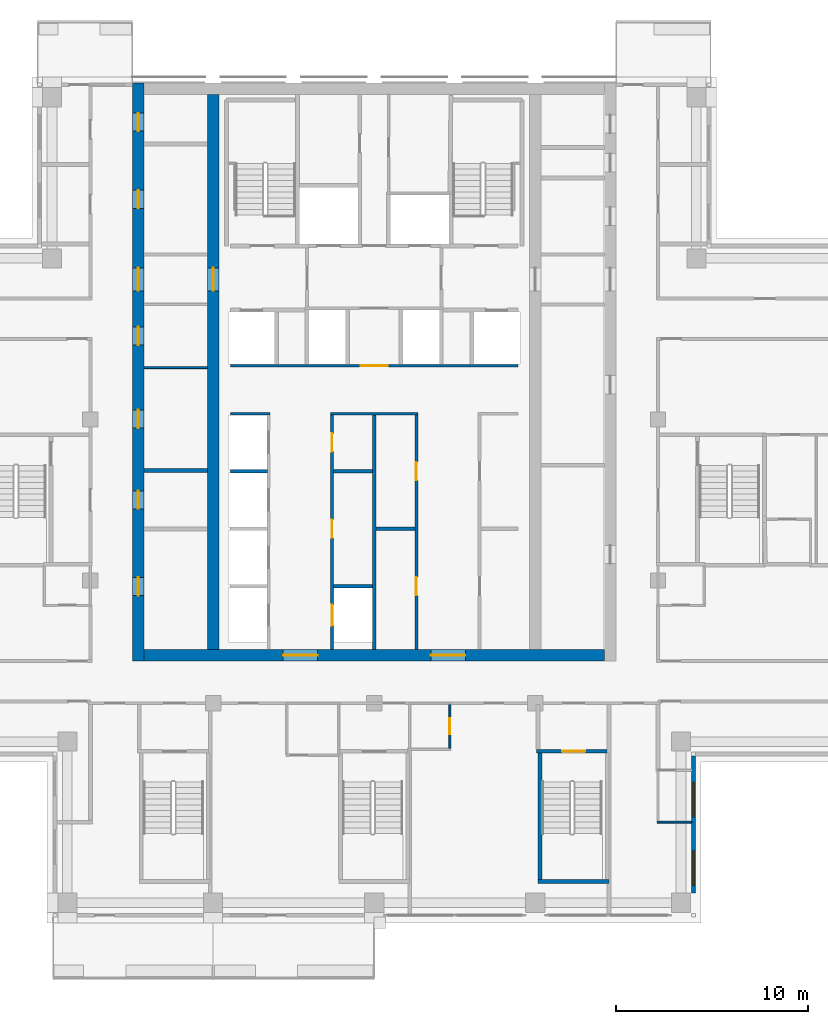
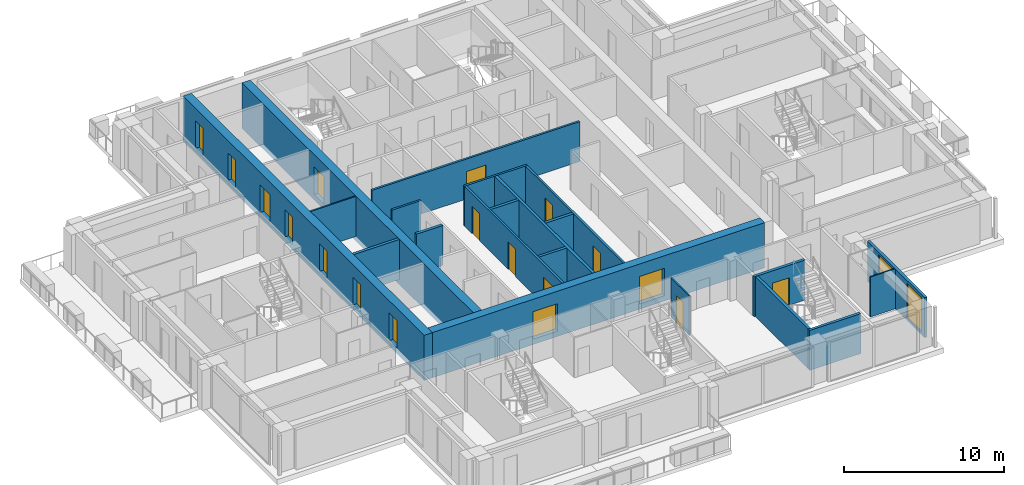
# One storey, part 8 of 17: 21 walls, 18 doors, 2 windows, 20 openings.
"""IFC4 building model written with IfcOpenShell, lengths in metres."""

from ifc_helpers import new_model, si_unit, direction, frame, frame_2d, origin, place, context, subcontext, project, spatial, rectangle, extrude, material, layer, layer_set, type_object, element, fill, save


model = new_model("IFC4")

# Units and contexts
model_context = context("Model", 3, precision=1e-05, world=origin(), true_north=direction((0.0, 1.0)))
body_context = subcontext(model_context, "Body", "Model", "MODEL_VIEW")
ifc_project = project(units=[si_unit("LENGTHUNIT", "METRE"), si_unit("AREAUNIT", "SQUARE_METRE"), si_unit("VOLUMEUNIT", "CUBIC_METRE"), si_unit("PLANEANGLEUNIT", "RADIAN"), si_unit("MASSUNIT", "GRAM", prefix="KILO")], contexts=[model_context])

# Site, building, storey
site_placement = place(None, origin())
site = spatial("IfcSite", under=ifc_project, at=site_placement, CompositionType="ELEMENT")
building_placement = place(site_placement, origin())
building = spatial("IfcBuilding", under=site, at=building_placement, Name="Vermilion Ogive Tower", CompositionType="ELEMENT")
storey_placement = place(building_placement, frame((0.0, 0.0, 196.25)))
storey = spatial("IfcBuildingStorey", under=building, at=storey_placement, Name="L51", CompositionType="ELEMENT", Elevation=196.25)

# Wall, openings, doors
ifc_material_1 = material(Name="Concrete B60", Category="concrete")
ifc_layer_1 = layer(ifc_material_1, 0.60009765625)
ifc_layer_set_1 = layer_set([ifc_layer_1], Name="Core wall 600 B60")
wall_type_1 = type_object("IfcWallType", Name="Core wall 600 B60", PredefinedType="SHEAR", material=ifc_layer_set_1)
wall_1_placement = place(storey_placement, frame((-12.300048828125, -8.39990234375, -0.39990234375), z_axis=(0.0, 0.0, 1.0), x_axis=(0.0, 1.0, 0.0)))
wall_1 = element("IfcWall", 1, at=wall_1_placement, inside=storey, type_object=wall_type_1, Name="L51-CORE-W", PredefinedType="SHEAR", context=body_context, shape_type="SweptSolid", body=[
    extrude(rectangle(XDim=30.14990234375, YDim=0.60009765625, at=frame_2d((15.074951171875, 0.0))), origin(), (0.0, 0.0, 1.0), 3.449951171875),
])
opening_1_placement = place(wall_1_placement, frame((3.415771484375, 0.0, 0.39990234375)))
opening_1 = element("IfcOpeningElement", 2, at=opening_1_placement, cuts=wall_1, Name="Opening DAD078", PredefinedType="OPENING", context=body_context, shape_type="SweptSolid", body=[
    extrude(rectangle(XDim=0.949951171875, YDim=2.10009765625, at=frame_2d((0.47509765625, 1.050048828125))), frame((0.0, 0.31005859375, 0.0), z_axis=(0.0, -1.0, 0.0), x_axis=(1.0, 0.0, 0.0)), (0.0, 0.0, 1.0), 0.6201171875),
])
opening_2_placement = place(wall_1_placement, frame((7.93212890625, 0.0, 0.39990234375)))
opening_2 = element("IfcOpeningElement", 3, at=opening_2_placement, cuts=wall_1, Name="Opening DAD079", PredefinedType="OPENING", context=body_context, shape_type="SweptSolid", body=[
    extrude(rectangle(XDim=0.949951171875, YDim=2.10009765625, at=frame_2d((0.47509765625, 1.050048828125))), frame((0.0, 0.31005859375, 0.0), z_axis=(0.0, -1.0, 0.0), x_axis=(1.0, 0.0, 0.0)), (0.0, 0.0, 1.0), 0.6201171875),
])
opening_3_placement = place(wall_1_placement, frame((12.1435546875, 0.0, 0.39990234375)))
opening_3 = element("IfcOpeningElement", 4, at=opening_3_placement, cuts=wall_1, Name="Opening DAD080", PredefinedType="OPENING", context=body_context, shape_type="SweptSolid", body=[
    extrude(rectangle(XDim=0.949951171875, YDim=2.10009765625, at=frame_2d((0.47509765625, 1.050048828125))), frame((0.0, 0.31005859375, 0.0), z_axis=(0.0, -1.0, 0.0), x_axis=(1.0, 0.0, 0.0)), (0.0, 0.0, 1.0), 0.6201171875),
])
opening_4_placement = place(wall_1_placement, frame((16.47705078125, 0.0, 0.39990234375)))
opening_4 = element("IfcOpeningElement", 5, at=opening_4_placement, cuts=wall_1, Name="Opening DAD081", PredefinedType="OPENING", context=body_context, shape_type="SweptSolid", body=[
    extrude(rectangle(XDim=0.949951171875, YDim=2.10009765625, at=frame_2d((0.47509765625, 1.050048828125))), frame((0.0, 0.31005859375, 0.0), z_axis=(0.0, -1.0, 0.0), x_axis=(1.0, 0.0, 0.0)), (0.0, 0.0, 1.0), 0.6201171875),
])
opening_5_placement = place(wall_1_placement, frame((23.60498046875, 0.0, 0.39990234375)))
opening_5 = element("IfcOpeningElement", 6, at=opening_5_placement, cuts=wall_1, Name="Opening DAD082", PredefinedType="OPENING", context=body_context, shape_type="SweptSolid", body=[
    extrude(rectangle(XDim=0.949951171875, YDim=2.10009765625, at=frame_2d((0.47509765625, 1.050048828125))), frame((0.0, 0.31005859375, 0.0), z_axis=(0.0, -1.0, 0.0), x_axis=(1.0, 0.0, 0.0)), (0.0, 0.0, 1.0), 0.6201171875),
])
opening_6_placement = place(wall_1_placement, frame((27.630126953125, 0.0, 0.39990234375)))
opening_6 = element("IfcOpeningElement", 7, at=opening_6_placement, cuts=wall_1, Name="Opening DAD083", PredefinedType="OPENING", context=body_context, shape_type="SweptSolid", body=[
    extrude(rectangle(XDim=0.949951171875, YDim=2.10009765625, at=frame_2d((0.47509765625, 1.050048828125))), frame((0.0, 0.31005859375, 0.0), z_axis=(0.0, -1.0, 0.0), x_axis=(1.0, 0.0, 0.0)), (0.0, 0.0, 1.0), 0.6201171875),
])
opening_7_placement = place(wall_1_placement, frame((19.300048828125, 0.0, 0.39990234375)))
opening_7 = element("IfcOpeningElement", 8, at=opening_7_placement, cuts=wall_1, Name="Opening DAM020", PredefinedType="OPENING", context=body_context, shape_type="SweptSolid", body=[
    extrude(rectangle(XDim=1.199951171875, YDim=2.10009765625, at=frame_2d((0.60009765625, 1.050048828125))), frame((0.0, 0.31005859375, 0.0), z_axis=(0.0, -1.0, 0.0), x_axis=(1.0, 0.0, 0.0)), (0.0, 0.0, 1.0), 0.6201171875),
])
ifc_material_2 = material(Name="Timber door leaf", Category="wood")
door_type_1 = type_object("IfcDoorType", Name="Link door 1200 x 2100 FD60S", OperationType="SINGLE_SWING_LEFT", PredefinedType="DOOR", material=ifc_material_2)
door_1_placement = place(opening_7_placement, origin())
door_1 = element("IfcDoor", 9, at=door_1_placement, inside=storey, type_object=door_type_1, Name="L51-CKW-XL", OperationType="SINGLE_SWING_LEFT", OverallHeight=2.10009765625, OverallWidth=1.199951171875, PredefinedType="DOOR", context=body_context, shape_type="SweptSolid", body=[
    extrude(rectangle(XDim=1.199951171875, YDim=2.10009765625, at=frame_2d((0.60009765625, 1.050048828125))), frame((0.0, 0.02490234375, 0.0), z_axis=(0.0, -1.0, 0.0), x_axis=(1.0, 0.0, 0.0)), (0.0, 0.0, 1.0), 0.050048828125),
])
fill(opening_7, door_1)
ifc_material_3 = material(Name="Timber door leaf", Category="wood")
door_type_2 = type_object("IfcDoorType", Name="Service door 950 x 2100 FD60", OperationType="SINGLE_SWING_LEFT", PredefinedType="DOOR", material=ifc_material_3)
door_2_placement = place(opening_1_placement, origin())
door_2 = element("IfcDoor", 10, at=door_2_placement, inside=storey, type_object=door_type_2, Name="L51-CKW-XR0", OperationType="SINGLE_SWING_LEFT", OverallHeight=2.10009765625, OverallWidth=0.949951171875, PredefinedType="DOOR", context=body_context, shape_type="SweptSolid", body=[
    extrude(rectangle(XDim=0.949951171875, YDim=2.10009765625, at=frame_2d((0.47509765625, 1.050048828125))), frame((0.0, 0.02490234375, 0.0), z_axis=(0.0, -1.0, 0.0), x_axis=(1.0, 0.0, 0.0)), (0.0, 0.0, 1.0), 0.050048828125),
])
fill(opening_1, door_2)
door_3_placement = place(opening_2_placement, origin())
door_3 = element("IfcDoor", 11, at=door_3_placement, inside=storey, type_object=door_type_2, Name="L51-CKW-XR1", OperationType="SINGLE_SWING_LEFT", OverallHeight=2.10009765625, OverallWidth=0.949951171875, PredefinedType="DOOR", context=body_context, shape_type="SweptSolid", body=[
    extrude(rectangle(XDim=0.949951171875, YDim=2.10009765625, at=frame_2d((0.47509765625, 1.050048828125))), frame((0.0, 0.02490234375, 0.0), z_axis=(0.0, -1.0, 0.0), x_axis=(1.0, 0.0, 0.0)), (0.0, 0.0, 1.0), 0.050048828125),
])
fill(opening_2, door_3)
door_4_placement = place(opening_3_placement, origin())
door_4 = element("IfcDoor", 12, at=door_4_placement, inside=storey, type_object=door_type_2, Name="L51-CKW-XR2", OperationType="SINGLE_SWING_LEFT", OverallHeight=2.10009765625, OverallWidth=0.949951171875, PredefinedType="DOOR", context=body_context, shape_type="SweptSolid", body=[
    extrude(rectangle(XDim=0.949951171875, YDim=2.10009765625, at=frame_2d((0.47509765625, 1.050048828125))), frame((0.0, 0.02490234375, 0.0), z_axis=(0.0, -1.0, 0.0), x_axis=(1.0, 0.0, 0.0)), (0.0, 0.0, 1.0), 0.050048828125),
])
fill(opening_3, door_4)
door_5_placement = place(opening_4_placement, origin())
door_5 = element("IfcDoor", 13, at=door_5_placement, inside=storey, type_object=door_type_2, Name="L51-CKW-XR3", OperationType="SINGLE_SWING_LEFT", OverallHeight=2.10009765625, OverallWidth=0.949951171875, PredefinedType="DOOR", context=body_context, shape_type="SweptSolid", body=[
    extrude(rectangle(XDim=0.949951171875, YDim=2.10009765625, at=frame_2d((0.47509765625, 1.050048828125))), frame((0.0, 0.02490234375, 0.0), z_axis=(0.0, -1.0, 0.0), x_axis=(1.0, 0.0, 0.0)), (0.0, 0.0, 1.0), 0.050048828125),
])
fill(opening_4, door_5)
door_6_placement = place(opening_5_placement, origin())
door_6 = element("IfcDoor", 14, at=door_6_placement, inside=storey, type_object=door_type_2, Name="L51-CKW-XR4", OperationType="SINGLE_SWING_LEFT", OverallHeight=2.10009765625, OverallWidth=0.949951171875, PredefinedType="DOOR", context=body_context, shape_type="SweptSolid", body=[
    extrude(rectangle(XDim=0.949951171875, YDim=2.10009765625, at=frame_2d((0.47509765625, 1.050048828125))), frame((0.0, 0.02490234375, 0.0), z_axis=(0.0, -1.0, 0.0), x_axis=(1.0, 0.0, 0.0)), (0.0, 0.0, 1.0), 0.050048828125),
])
fill(opening_5, door_6)
door_7_placement = place(opening_6_placement, origin())
door_7 = element("IfcDoor", 15, at=door_7_placement, inside=storey, type_object=door_type_2, Name="L51-CKW-XR5", OperationType="SINGLE_SWING_LEFT", OverallHeight=2.10009765625, OverallWidth=0.949951171875, PredefinedType="DOOR", context=body_context, shape_type="SweptSolid", body=[
    extrude(rectangle(XDim=0.949951171875, YDim=2.10009765625, at=frame_2d((0.47509765625, 1.050048828125))), frame((0.0, 0.02490234375, 0.0), z_axis=(0.0, -1.0, 0.0), x_axis=(1.0, 0.0, 0.0)), (0.0, 0.0, 1.0), 0.050048828125),
])
fill(opening_6, door_7)

wall_2_placement = place(storey_placement, frame((-12.0, -8.10009765625, -0.39990234375), z_axis=(0.0, 0.0, 1.0), x_axis=(1.0, 0.0, 0.0)))
wall_2 = element("IfcWall", 16, at=wall_2_placement, inside=storey, type_object=wall_type_1, Name="L51-CORE-S", PredefinedType="SHEAR", context=body_context, shape_type="SweptSolid", body=[
    extrude(rectangle(XDim=24.0, YDim=0.60009765625, at=frame_2d((12.0, 0.0))), origin(), (0.0, 0.0, 1.0), 3.449951171875),
])
opening_8_placement = place(wall_2_placement, frame((7.25, 0.0, 0.39990234375)))
opening_8 = element("IfcOpeningElement", 17, at=opening_8_placement, cuts=wall_2, Name="Opening DAH039", PredefinedType="OPENING", context=body_context, shape_type="SweptSolid", body=[
    extrude(rectangle(XDim=1.800048828125, YDim=2.10009765625, at=frame_2d((0.89990234375, 1.050048828125))), frame((0.0, 0.31005859375, 0.0), z_axis=(0.0, -1.0, 0.0), x_axis=(1.0, 0.0, 0.0)), (0.0, 0.0, 1.0), 0.6201171875),
])
opening_9_placement = place(wall_2_placement, frame((14.949951171875, 0.0, 0.39990234375)))
opening_9 = element("IfcOpeningElement", 18, at=opening_9_placement, cuts=wall_2, Name="Opening DAH040", PredefinedType="OPENING", context=body_context, shape_type="SweptSolid", body=[
    extrude(rectangle(XDim=1.800048828125, YDim=2.10009765625, at=frame_2d((0.89990234375, 1.050048828125))), frame((0.0, 0.31005859375, 0.0), z_axis=(0.0, -1.0, 0.0), x_axis=(1.0, 0.0, 0.0)), (0.0, 0.0, 1.0), 0.6201171875),
])
ifc_material_4 = material(Name="Timber door leaf", Category="wood")
door_type_3 = type_object("IfcDoorType", Name="Core entry door 1800 x 2100 FD60S", OperationType="DOUBLE_DOOR_SINGLE_SWING", PredefinedType="DOOR", material=ifc_material_4)
door_8_placement = place(opening_8_placement, origin())
door_8 = element("IfcDoor", 19, at=door_8_placement, inside=storey, type_object=door_type_3, Name="L51-CK-XD1", OperationType="SINGLE_SWING_LEFT", OverallHeight=2.10009765625, OverallWidth=1.800048828125, PredefinedType="DOOR", context=body_context, shape_type="SweptSolid", body=[
    extrude(rectangle(XDim=1.800048828125, YDim=2.10009765625, at=frame_2d((0.89990234375, 1.050048828125))), frame((0.0, 0.02490234375, 0.0), z_axis=(0.0, -1.0, 0.0), x_axis=(1.0, 0.0, 0.0)), (0.0, 0.0, 1.0), 0.050048828125),
])
fill(opening_8, door_8)
door_9_placement = place(opening_9_placement, origin())
door_9 = element("IfcDoor", 20, at=door_9_placement, inside=storey, type_object=door_type_3, Name="L51-CK-XD2", OperationType="SINGLE_SWING_LEFT", OverallHeight=2.10009765625, OverallWidth=1.800048828125, PredefinedType="DOOR", context=body_context, shape_type="SweptSolid", body=[
    extrude(rectangle(XDim=1.800048828125, YDim=2.10009765625, at=frame_2d((0.89990234375, 1.050048828125))), frame((0.0, 0.02490234375, 0.0), z_axis=(0.0, -1.0, 0.0), x_axis=(1.0, 0.0, 0.0)), (0.0, 0.0, 1.0), 0.050048828125),
])
fill(opening_9, door_9)

# Wall, opening, door
wall_3_placement = place(storey_placement, frame((-8.39990234375, -7.800048828125, -0.39990234375), z_axis=(0.0, 0.0, 1.0), x_axis=(0.0, 1.0, 0.0)))
wall_3 = element("IfcWall", 21, at=wall_3_placement, inside=storey, type_object=wall_type_1, Name="L51-CORE-WEB1", PredefinedType="SHEAR", context=body_context, shape_type="SweptSolid", body=[
    extrude(rectangle(XDim=28.949951171875, YDim=0.60009765625, at=frame_2d((14.47509765625, 0.0))), origin(), (0.0, 0.0, 1.0), 3.449951171875),
])
opening_10_placement = place(wall_3_placement, frame((18.699951171875, 0.0, 0.39990234375)))
opening_10 = element("IfcOpeningElement", 22, at=opening_10_placement, cuts=wall_3, Name="Opening DAP015", PredefinedType="OPENING", context=body_context, shape_type="SweptSolid", body=[
    extrude(rectangle(XDim=1.199951171875, YDim=2.10009765625, at=frame_2d((0.60009765625, 1.050048828125))), frame((0.0, 0.31005859375, 0.0), z_axis=(0.0, -1.0, 0.0), x_axis=(1.0, 0.0, 0.0)), (0.0, 0.0, 1.0), 0.6201171875),
])
door_10_placement = place(opening_10_placement, origin())
door_10 = element("IfcDoor", 23, at=door_10_placement, inside=storey, type_object=door_type_1, Name="L51-CKW-XW", OperationType="SINGLE_SWING_LEFT", OverallHeight=2.10009765625, OverallWidth=1.199951171875, PredefinedType="DOOR", context=body_context, shape_type="SweptSolid", body=[
    extrude(rectangle(XDim=1.199951171875, YDim=2.10009765625, at=frame_2d((0.60009765625, 1.050048828125))), frame((0.0, 0.02490234375, 0.0), z_axis=(0.0, -1.0, 0.0), x_axis=(1.0, 0.0, 0.0)), (0.0, 0.0, 1.0), 0.050048828125),
])
fill(opening_10, door_10)

# Wall
ifc_material_5 = material(Name="Gypsum board partition on steel studs", Category="steel")
ifc_layer_2 = layer(ifc_material_5, 0.10009765625)
ifc_layer_set_2 = layer_set([ifc_layer_2], Name="Partition 100 bath")
wall_type_2 = type_object("IfcWallType", Name="Partition 100 bath", PredefinedType="PARTITIONING", material=ifc_layer_set_2)
wall_4_placement = place(storey_placement, frame((14.751953125, -16.800048828125, 0.0), z_axis=(0.0, 0.0, 1.0), x_axis=(1.0, 0.0, 0.0)))
element("IfcWall", 24, at=wall_4_placement, inside=storey, type_object=wall_type_2, Name="L51-W-W005", PredefinedType="PARTITIONING", context=body_context, shape_type="SweptSolid", body=[
    extrude(rectangle(XDim=1.798095703125, YDim=0.10009765625, at=frame_2d((0.89892578125, 0.0))), origin(), (0.0, 0.0, 1.0), 3.050048828125),
])

# Wall, opening, door
wall_5_placement = place(storey_placement, frame((3.949951171875, -12.949951171875, 0.0), z_axis=(0.0, 0.0, 1.0), x_axis=(0.0, 1.0, 0.0)))
wall_5 = element("IfcWall", 25, at=wall_5_placement, inside=storey, type_object=wall_type_2, Name="L51-W-W068", PredefinedType="PARTITIONING", context=body_context, shape_type="SweptSolid", body=[
    extrude(rectangle(XDim=2.27490234375, YDim=0.10009765625, at=frame_2d((1.137451171875, 0.0))), origin(), (0.0, 0.0, 1.0), 3.050048828125),
])
opening_11_placement = place(wall_5_placement, frame((0.724853515625, 0.0, 0.0)))
opening_11 = element("IfcOpeningElement", 26, at=opening_11_placement, cuts=wall_5, Name="Opening D4G3014", PredefinedType="OPENING", context=body_context, shape_type="SweptSolid", body=[
    extrude(rectangle(XDim=0.85009765625, YDim=2.10009765625, at=frame_2d((0.425048828125, 1.050048828125))), frame((0.0, 0.06005859375, 0.0), z_axis=(0.0, -1.0, 0.0), x_axis=(1.0, 0.0, 0.0)), (0.0, 0.0, 1.0), 0.1201171875),
])
ifc_material_6 = material(Name="Timber door leaf", Category="wood")
door_type_4 = type_object("IfcDoorType", Name="Bath door 850 x 2100 FD30", OperationType="SINGLE_SWING_LEFT", PredefinedType="DOOR", material=ifc_material_6)
door_11_placement = place(opening_11_placement, origin())
door_11 = element("IfcDoor", 27, at=door_11_placement, inside=storey, type_object=door_type_4, Name="L51-D-D014", OperationType="SINGLE_SWING_LEFT", OverallHeight=2.10009765625, OverallWidth=0.85009765625, PredefinedType="DOOR", context=body_context, shape_type="SweptSolid", body=[
    extrude(rectangle(XDim=0.85009765625, YDim=2.10009765625, at=frame_2d((0.425048828125, 1.050048828125))), frame((0.0, 0.02490234375, 0.0), z_axis=(0.0, -1.0, 0.0), x_axis=(1.0, 0.0, 0.0)), (0.0, 0.0, 1.0), 0.050048828125),
])
fill(opening_11, door_11)

# Walls
wall_6_placement = place(storey_placement, frame((-11.9990234375, 6.904052734375, 0.0), z_axis=(0.0, 0.0, 1.0), x_axis=(1.0, 0.0, 0.0)))
element("IfcWall", 28, at=wall_6_placement, inside=storey, type_object=wall_type_2, Name="L51-CKW-W-W003", PredefinedType="PARTITIONING", context=body_context, shape_type="SweptSolid", body=[
    extrude(rectangle(XDim=3.298095703125, YDim=0.10009765625, at=frame_2d((1.64892578125, 0.0))), origin(), (0.0, 0.0, 1.0), 3.050048828125),
])
ifc_material_7 = material(Name="Gypsum board partition on steel studs", Category="steel")
ifc_layer_3 = layer(ifc_material_7, 0.14990234375)
ifc_layer_set_3 = layer_set([ifc_layer_3], Name="Partition 150 corridor")
wall_type_3 = type_object("IfcWallType", Name="Partition 150 corridor", PredefinedType="PARTITIONING", material=ifc_layer_set_3)
wall_7_placement = place(storey_placement, frame((-7.5, 4.5, 0.0), z_axis=(0.0, 0.0, 1.0), x_axis=(1.0, 0.0, 0.0)))
element("IfcWall", 29, at=wall_7_placement, inside=storey, type_object=wall_type_3, Name="L51-CK-W-W008", PredefinedType="PARTITIONING", context=body_context, shape_type="SweptSolid", body=[
    extrude(rectangle(XDim=2.074951171875, YDim=0.14990234375, at=frame_2d((1.03759765625, 0.0))), origin(), (0.0, 0.0, 1.0), 3.050048828125),
])
wall_8_placement = place(storey_placement, frame((-2.27490234375, 4.5, 0.0), z_axis=(0.0, 0.0, 1.0), x_axis=(1.0, 0.0, 0.0)))
element("IfcWall", 30, at=wall_8_placement, inside=storey, type_object=wall_type_3, Name="L51-CK-W-W009", PredefinedType="PARTITIONING", context=body_context, shape_type="SweptSolid", body=[
    extrude(rectangle(XDim=4.5498046875, YDim=0.14990234375, at=frame_2d((2.27490234375, 0.0))), origin(), (0.0, 0.0, 1.0), 3.050048828125),
])

# Wall, opening, door
wall_9_placement = place(storey_placement, frame((-7.5, 7.0, 0.0), z_axis=(0.0, 0.0, 1.0), x_axis=(1.0, 0.0, 0.0)))
wall_9 = element("IfcWall", 31, at=wall_9_placement, inside=storey, type_object=wall_type_3, Name="L51-CK-W-W011", PredefinedType="PARTITIONING", context=body_context, shape_type="SweptSolid", body=[
    extrude(rectangle(XDim=15.0, YDim=0.14990234375, at=frame_2d((7.5, 0.0))), origin(), (0.0, 0.0, 1.0), 3.050048828125),
])
opening_12_placement = place(wall_9_placement, frame((6.800048828125, 0.0, 0.0)))
opening_12 = element("IfcOpeningElement", 32, at=opening_12_placement, cuts=wall_9, Name="Opening DAA445", PredefinedType="OPENING", context=body_context, shape_type="SweptSolid", body=[
    extrude(rectangle(XDim=1.39990234375, YDim=2.10009765625, at=frame_2d((0.699951171875, 1.050048828125))), frame((0.0, 0.0849609375, 0.0), z_axis=(0.0, -1.0, 0.0), x_axis=(1.0, 0.0, 0.0)), (0.0, 0.0, 1.0), 0.169921875),
])
ifc_material_8 = material(Name="Timber door leaf", Category="wood")
door_type_5 = type_object("IfcDoorType", Name="Lobby door 1400 x 2100 FD60S", OperationType="SINGLE_SWING_LEFT", PredefinedType="DOOR", material=ifc_material_8)
door_12_placement = place(opening_12_placement, origin())
door_12 = element("IfcDoor", 33, at=door_12_placement, inside=storey, type_object=door_type_5, Name="L51-CK-D-D016", OperationType="SINGLE_SWING_RIGHT", OverallHeight=2.10009765625, OverallWidth=1.39990234375, PredefinedType="DOOR", context=body_context, shape_type="SweptSolid", body=[
    extrude(rectangle(XDim=1.39990234375, YDim=2.10009765625, at=frame_2d((0.699951171875, 1.050048828125))), frame((0.0, 0.02490234375, 0.0), z_axis=(0.0, -1.0, 0.0), x_axis=(1.0, 0.0, 0.0)), (0.0, 0.0, 1.0), 0.050048828125),
])
fill(opening_12, door_12)

# Wall, openings, doors
wall_10_placement = place(storey_placement, frame((-2.199951171875, -7.799072265625, 0.0), z_axis=(0.0, 0.0, 1.0), x_axis=(0.0, 1.0, 0.0)))
wall_10 = element("IfcWall", 34, at=wall_10_placement, inside=storey, type_object=wall_type_3, Name="L51-CK-W-W025", PredefinedType="PARTITIONING", context=body_context, shape_type="SweptSolid", body=[
    extrude(rectangle(XDim=12.22412109375, YDim=0.14990234375, at=frame_2d((6.112060546875, 0.0))), origin(), (0.0, 0.0, 1.0), 3.050048828125),
])
opening_13_placement = place(wall_10_placement, frame((1.2490234375, 0.0, 0.0)))
opening_13 = element("IfcOpeningElement", 35, at=opening_13_placement, cuts=wall_10, Name="Opening DAA462", PredefinedType="OPENING", context=body_context, shape_type="SweptSolid", body=[
    extrude(rectangle(XDim=1.10009765625, YDim=2.10009765625, at=frame_2d((0.550048828125, 1.050048828125))), frame((0.0, 0.0849609375, 0.0), z_axis=(0.0, -1.0, 0.0), x_axis=(1.0, 0.0, 0.0)), (0.0, 0.0, 1.0), 0.169921875),
])
opening_14_placement = place(wall_10_placement, frame((5.823974609375, 0.0, 0.0)))
opening_14 = element("IfcOpeningElement", 36, at=opening_14_placement, cuts=wall_10, Name="Opening DAA448", PredefinedType="OPENING", context=body_context, shape_type="SweptSolid", body=[
    extrude(rectangle(XDim=0.949951171875, YDim=2.10009765625, at=frame_2d((0.47509765625, 1.050048828125))), frame((0.0, 0.0849609375, 0.0), z_axis=(0.0, -1.0, 0.0), x_axis=(1.0, 0.0, 0.0)), (0.0, 0.0, 1.0), 0.169921875),
])
opening_15_placement = place(wall_10_placement, frame((10.323974609375, 0.0, 0.0)))
opening_15 = element("IfcOpeningElement", 37, at=opening_15_placement, cuts=wall_10, Name="Opening DAA449", PredefinedType="OPENING", context=body_context, shape_type="SweptSolid", body=[
    extrude(rectangle(XDim=0.949951171875, YDim=2.10009765625, at=frame_2d((0.47509765625, 1.050048828125))), frame((0.0, 0.0849609375, 0.0), z_axis=(0.0, -1.0, 0.0), x_axis=(1.0, 0.0, 0.0)), (0.0, 0.0, 1.0), 0.169921875),
])
ifc_material_9 = material(Name="Stainless steel", Category="steel")
door_type_6 = type_object("IfcDoorType", Name="Lift landing door 1100 x 2100", OperationType="SLIDING_TO_LEFT", PredefinedType="DOOR", material=ifc_material_9)
door_13_placement = place(opening_13_placement, origin())
door_13 = element("IfcDoor", 38, at=door_13_placement, inside=storey, type_object=door_type_6, Name="L51-CK-D-D005", OperationType="SLIDING_TO_LEFT", OverallHeight=2.10009765625, OverallWidth=1.10009765625, PredefinedType="DOOR", context=body_context, shape_type="SweptSolid", body=[
    extrude(rectangle(XDim=1.10009765625, YDim=2.10009765625, at=frame_2d((0.550048828125, 1.050048828125))), frame((0.0, 0.02490234375, 0.0), z_axis=(0.0, -1.0, 0.0), x_axis=(1.0, 0.0, 0.0)), (0.0, 0.0, 1.0), 0.050048828125),
])
fill(opening_13, door_13)
door_14_placement = place(opening_14_placement, origin())
door_14 = element("IfcDoor", 39, at=door_14_placement, inside=storey, type_object=door_type_2, Name="L51-CK-D-D006", OperationType="SINGLE_SWING_LEFT", OverallHeight=2.10009765625, OverallWidth=0.949951171875, PredefinedType="DOOR", context=body_context, shape_type="SweptSolid", body=[
    extrude(rectangle(XDim=0.949951171875, YDim=2.10009765625, at=frame_2d((0.47509765625, 1.050048828125))), frame((0.0, 0.02490234375, 0.0), z_axis=(0.0, -1.0, 0.0), x_axis=(1.0, 0.0, 0.0)), (0.0, 0.0, 1.0), 0.050048828125),
])
fill(opening_14, door_14)
door_15_placement = place(opening_15_placement, origin())
door_15 = element("IfcDoor", 40, at=door_15_placement, inside=storey, type_object=door_type_2, Name="L51-CK-D-D007", OperationType="SINGLE_SWING_RIGHT", OverallHeight=2.10009765625, OverallWidth=0.949951171875, PredefinedType="DOOR", context=body_context, shape_type="SweptSolid", body=[
    extrude(rectangle(XDim=0.949951171875, YDim=2.10009765625, at=frame_2d((0.47509765625, 1.050048828125))), frame((0.0, 0.02490234375, 0.0), z_axis=(0.0, -1.0, 0.0), x_axis=(1.0, 0.0, 0.0)), (0.0, 0.0, 1.0), 0.050048828125),
])
fill(opening_15, door_15)

wall_11_placement = place(storey_placement, frame((2.199951171875, -7.799072265625, 0.0), z_axis=(0.0, 0.0, 1.0), x_axis=(0.0, 1.0, 0.0)))
wall_11 = element("IfcWall", 41, at=wall_11_placement, inside=storey, type_object=wall_type_3, Name="L51-CK-W-W032", PredefinedType="PARTITIONING", context=body_context, shape_type="SweptSolid", body=[
    extrude(rectangle(XDim=12.22412109375, YDim=0.14990234375, at=frame_2d((6.112060546875, 0.0))), origin(), (0.0, 0.0, 1.0), 3.050048828125),
])
opening_16_placement = place(wall_11_placement, frame((2.823974609375, 0.0, 0.0)))
opening_16 = element("IfcOpeningElement", 42, at=opening_16_placement, cuts=wall_11, Name="Opening DAA450", PredefinedType="OPENING", context=body_context, shape_type="SweptSolid", body=[
    extrude(rectangle(XDim=0.949951171875, YDim=2.10009765625, at=frame_2d((0.47509765625, 1.050048828125))), frame((0.0, 0.0849609375, 0.0), z_axis=(0.0, -1.0, 0.0), x_axis=(1.0, 0.0, 0.0)), (0.0, 0.0, 1.0), 0.169921875),
])
opening_17_placement = place(wall_11_placement, frame((8.823974609375, 0.0, 0.0)))
opening_17 = element("IfcOpeningElement", 43, at=opening_17_placement, cuts=wall_11, Name="Opening DAA451", PredefinedType="OPENING", context=body_context, shape_type="SweptSolid", body=[
    extrude(rectangle(XDim=0.949951171875, YDim=2.10009765625, at=frame_2d((0.47509765625, 1.050048828125))), frame((0.0, 0.0849609375, 0.0), z_axis=(0.0, -1.0, 0.0), x_axis=(1.0, 0.0, 0.0)), (0.0, 0.0, 1.0), 0.169921875),
])
door_16_placement = place(opening_16_placement, origin())
door_16 = element("IfcDoor", 44, at=door_16_placement, inside=storey, type_object=door_type_2, Name="L51-CK-D-D008", OperationType="SINGLE_SWING_RIGHT", OverallHeight=2.10009765625, OverallWidth=0.949951171875, PredefinedType="DOOR", context=body_context, shape_type="SweptSolid", body=[
    extrude(rectangle(XDim=0.949951171875, YDim=2.10009765625, at=frame_2d((0.47509765625, 1.050048828125))), frame((0.0, 0.02490234375, 0.0), z_axis=(0.0, -1.0, 0.0), x_axis=(1.0, 0.0, 0.0)), (0.0, 0.0, 1.0), 0.050048828125),
])
fill(opening_16, door_16)
door_17_placement = place(opening_17_placement, origin())
door_17 = element("IfcDoor", 45, at=door_17_placement, inside=storey, type_object=door_type_2, Name="L51-CK-D-D009", OperationType="SINGLE_SWING_RIGHT", OverallHeight=2.10009765625, OverallWidth=0.949951171875, PredefinedType="DOOR", context=body_context, shape_type="SweptSolid", body=[
    extrude(rectangle(XDim=0.949951171875, YDim=2.10009765625, at=frame_2d((0.47509765625, 1.050048828125))), frame((0.0, 0.02490234375, 0.0), z_axis=(0.0, -1.0, 0.0), x_axis=(1.0, 0.0, 0.0)), (0.0, 0.0, 1.0), 0.050048828125),
])
fill(opening_17, door_17)

# Walls
ifc_material_10 = material(Name="Gypsum board partition on steel studs", Category="steel")
ifc_layer_4 = layer(ifc_material_10, 0.199951171875)
ifc_layer_set_4 = layer_set([ifc_layer_4], Name="Partition 200 party")
wall_type_4 = type_object("IfcWallType", Name="Partition 200 party", PredefinedType="PARTITIONING", material=ifc_layer_set_4)
for number, where, z_axis, x_axis, name in (
    (46, (-2.125, -4.5, 0.0), (0.0, 0.0, 1.0), (1.0, 0.0, 0.0), "L51-CK-W-W002"),
    (47, (0.10009765625, -1.5, 0.0), (0.0, 0.0, 1.0), (1.0, 0.0, 0.0), "L51-CK-W-W004"),
):
    element("IfcWall", number, at=place(storey_placement, frame(where, z_axis=z_axis, x_axis=x_axis)), inside=storey, type_object=wall_type_4, Name=name, PredefinedType="PARTITIONING", context=body_context, shape_type="SweptSolid", body=[
        extrude(rectangle(XDim=2.02490234375, YDim=0.199951171875, at=frame_2d((1.012451171875, 0.0))), origin(), (0.0, 0.0, 1.0), 3.050048828125),
    ])
wall_12_placement = place(storey_placement, frame((-7.5, 1.5, 0.0), z_axis=(0.0, 0.0, 1.0), x_axis=(1.0, 0.0, 0.0)))
element("IfcWall", 48, at=wall_12_placement, inside=storey, type_object=wall_type_4, Name="L51-CK-W-W006", PredefinedType="PARTITIONING", context=body_context, shape_type="SweptSolid", body=[
    extrude(rectangle(XDim=1.925048828125, YDim=0.199951171875, at=frame_2d((0.96240234375, 0.0))), origin(), (0.0, 0.0, 1.0), 3.050048828125),
])
wall_13_placement = place(storey_placement, frame((-2.125, 1.5, 0.0), z_axis=(0.0, 0.0, 1.0), x_axis=(1.0, 0.0, 0.0)))
element("IfcWall", 49, at=wall_13_placement, inside=storey, type_object=wall_type_4, Name="L51-CK-W-W007", PredefinedType="PARTITIONING", context=body_context, shape_type="SweptSolid", body=[
    extrude(rectangle(XDim=2.02490234375, YDim=0.199951171875, at=frame_2d((1.012451171875, 0.0))), origin(), (0.0, 0.0, 1.0), 3.050048828125),
])
wall_14_placement = place(storey_placement, frame((0.0, -7.799072265625, 0.0), z_axis=(0.0, 0.0, 1.0), x_axis=(0.0, 1.0, 0.0)))
element("IfcWall", 50, at=wall_14_placement, inside=storey, type_object=wall_type_4, Name="L51-CK-W-W028", PredefinedType="PARTITIONING", context=body_context, shape_type="SweptSolid", body=[
    extrude(rectangle(XDim=12.22412109375, YDim=0.199951171875, at=frame_2d((6.112060546875, 0.0))), origin(), (0.0, 0.0, 1.0), 3.050048828125),
])
wall_15_placement = place(storey_placement, frame((-11.9990234375, 1.532958984375, 0.0), z_axis=(0.0, 0.0, 1.0), x_axis=(1.0, 0.0, 0.0)))
element("IfcWall", 51, at=wall_15_placement, inside=storey, type_object=wall_type_4, Name="L51-CKW-W-W002", PredefinedType="PARTITIONING", context=body_context, shape_type="SweptSolid", body=[
    extrude(rectangle(XDim=3.298095703125, YDim=0.199951171875, at=frame_2d((1.64892578125, 0.0))), origin(), (0.0, 0.0, 1.0), 3.050048828125),
])
ifc_material_11 = material(Name="Concrete B60", Category="concrete")
ifc_layer_5 = layer(ifc_material_11, 0.199951171875)
ifc_layer_set_5 = layer_set([ifc_layer_5], Name="Stair shaft wall 200 Concrete B60")
wall_type_5 = type_object("IfcWallType", Name="Stair shaft wall 200 Concrete B60", PredefinedType="SOLIDWALL", material=ifc_layer_set_5)
wall_16_placement = place(storey_placement, frame((8.552001953125, -19.89990234375, 0.0), z_axis=(0.0, 0.0, 1.0), x_axis=(1.0, 0.0, 0.0)))
element("IfcWall", 52, at=wall_16_placement, inside=storey, type_object=wall_type_5, Name="L51-W-W003", PredefinedType="SOLIDWALL", context=body_context, shape_type="SweptSolid", body=[
    extrude(rectangle(XDim=3.696044921875, YDim=0.199951171875, at=frame_2d((1.84814453125, 0.0))), origin(), (0.0, 0.0, 1.0), 3.050048828125),
])

# Wall, opening, door
wall_17_placement = place(storey_placement, frame((8.451904296875, -13.10009765625, 0.0), z_axis=(0.0, 0.0, 1.0), x_axis=(1.0, 0.0, 0.0)))
wall_17 = element("IfcWall", 53, at=wall_17_placement, inside=storey, type_object=wall_type_5, Name="L51-W-W010", PredefinedType="SOLIDWALL", context=body_context, shape_type="SweptSolid", body=[
    extrude(rectangle(XDim=3.696044921875, YDim=0.199951171875, at=frame_2d((1.84814453125, 0.0))), origin(), (0.0, 0.0, 1.0), 3.050048828125),
])
opening_18_placement = place(wall_17_placement, frame((1.34814453125, 0.0, 0.0)))
opening_18 = element("IfcOpeningElement", 54, at=opening_18_placement, cuts=wall_17, Name="Opening D4G3030", PredefinedType="OPENING", context=body_context, shape_type="SweptSolid", body=[
    extrude(rectangle(XDim=1.199951171875, YDim=2.10009765625, at=frame_2d((0.60009765625, 1.050048828125))), frame((0.0, 0.10986328125, 0.0), z_axis=(0.0, -1.0, 0.0), x_axis=(1.0, 0.0, 0.0)), (0.0, 0.0, 1.0), 0.219970703125),
])
ifc_material_12 = material(Name="Timber door leaf", Category="wood")
door_type_7 = type_object("IfcDoorType", Name="Stair door 1200 x 2100 FD60S", OperationType="SINGLE_SWING_LEFT", PredefinedType="DOOR", material=ifc_material_12)
door_18_placement = place(opening_18_placement, origin())
door_18 = element("IfcDoor", 55, at=door_18_placement, inside=storey, type_object=door_type_7, Name="L51-D-D030", OperationType="SINGLE_SWING_RIGHT", OverallHeight=2.10009765625, OverallWidth=1.199951171875, PredefinedType="DOOR", context=body_context, shape_type="SweptSolid", body=[
    extrude(rectangle(XDim=1.199951171875, YDim=2.10009765625, at=frame_2d((0.60009765625, 1.050048828125))), frame((0.0, 0.02490234375, 0.0), z_axis=(0.0, -1.0, 0.0), x_axis=(1.0, 0.0, 0.0)), (0.0, 0.0, 1.0), 0.050048828125),
])
fill(opening_18, door_18)

# Wall
wall_18_placement = place(storey_placement, frame((8.64990234375, -19.798095703125, 0.0), z_axis=(0.0, 0.0, 1.0), x_axis=(0.0, 1.0, 0.0)))
element("IfcWall", 56, at=wall_18_placement, inside=storey, type_object=wall_type_5, Name="L51-W-W070", PredefinedType="SOLIDWALL", context=body_context, shape_type="SweptSolid", body=[
    extrude(rectangle(XDim=6.59619140625, YDim=0.199951171875, at=frame_2d((3.298095703125, 0.0))), origin(), (0.0, 0.0, 1.0), 3.050048828125),
])

# Wall, openings, windows
ifc_material_13 = material(Name="Aluminium window wall framing", Category="aluminium")
ifc_layer_6 = layer(ifc_material_13, 0.199951171875)
ifc_layer_set_6 = layer_set([ifc_layer_6], Name="Window wall")
wall_type_6 = type_object("IfcWallType", Name="Window wall", PredefinedType="STANDARD", material=ifc_layer_set_6)
wall_19_placement = place(storey_placement, frame((16.64990234375, -20.5, 0.0), z_axis=(0.0, 0.0, 1.0), x_axis=(0.0, 1.0, 0.0)))
wall_19 = element("IfcWall", 57, at=wall_19_placement, inside=storey, type_object=wall_type_6, Name="Window wall X11", PredefinedType="STANDARD", context=body_context, shape_type="SweptSolid", body=[
    extrude(rectangle(XDim=7.14990234375, YDim=0.199951171875, at=frame_2d((3.574951171875, 0.0))), origin(), (0.0, 0.0, 1.0), 3.050048828125),
])
opening_19_placement = place(wall_19_placement, frame((0.39990234375, 0.0, 0.199951171875)))
opening_19 = element("IfcOpeningElement", 58, at=opening_19_placement, cuts=wall_19, Name="Opening W1-X195", PredefinedType="OPENING", context=body_context, shape_type="SweptSolid", body=[
    extrude(rectangle(XDim=1.800048828125, YDim=2.64990234375, at=frame_2d((0.89990234375, 1.324951171875))), frame((0.0, 0.10986328125, 0.0), z_axis=(0.0, -1.0, 0.0), x_axis=(1.0, 0.0, 0.0)), (0.0, 0.0, 1.0), 0.219970703125),
])
opening_20_placement = place(wall_19_placement, frame((3.97509765625, 0.0, 0.199951171875)))
opening_20 = element("IfcOpeningElement", 59, at=opening_20_placement, cuts=wall_19, Name="Opening W1-X196", PredefinedType="OPENING", context=body_context, shape_type="SweptSolid", body=[
    extrude(rectangle(XDim=1.800048828125, YDim=2.64990234375, at=frame_2d((0.89990234375, 1.324951171875))), frame((0.0, 0.10986328125, 0.0), z_axis=(0.0, -1.0, 0.0), x_axis=(1.0, 0.0, 0.0)), (0.0, 0.0, 1.0), 0.219970703125),
])
ifc_material_14 = material(Name="Aluminium framed double glazing", Category="aluminium")
window_type = type_object("IfcWindowType", Name="Guest window W1", PartitioningType="SINGLE_PANEL", PredefinedType="WINDOW", material=ifc_material_14)
window_1_placement = place(opening_19_placement, origin())
window_1 = element("IfcWindow", 60, at=window_1_placement, inside=storey, type_object=window_type, Name="Window X195", OverallHeight=2.64990234375, OverallWidth=1.800048828125, PartitioningType="SINGLE_PANEL", PredefinedType="WINDOW", context=body_context, shape_type="SweptSolid", body=[
    extrude(rectangle(XDim=1.800048828125, YDim=2.64990234375, at=frame_2d((0.89990234375, 1.324951171875))), frame((0.0, 0.030029296875, 0.0), z_axis=(0.0, -1.0, 0.0), x_axis=(1.0, 0.0, 0.0)), (0.0, 0.0, 1.0), 0.06005859375),
])
fill(opening_19, window_1)
window_2_placement = place(opening_20_placement, origin())
window_2 = element("IfcWindow", 61, at=window_2_placement, inside=storey, type_object=window_type, Name="Window X196", OverallHeight=2.64990234375, OverallWidth=1.800048828125, PartitioningType="SINGLE_PANEL", PredefinedType="WINDOW", context=body_context, shape_type="SweptSolid", body=[
    extrude(rectangle(XDim=1.800048828125, YDim=2.64990234375, at=frame_2d((0.89990234375, 1.324951171875))), frame((0.0, 0.030029296875, 0.0), z_axis=(0.0, -1.0, 0.0), x_axis=(1.0, 0.0, 0.0)), (0.0, 0.0, 1.0), 0.06005859375),
])
fill(opening_20, window_2)

save(model, "model.ifc")
